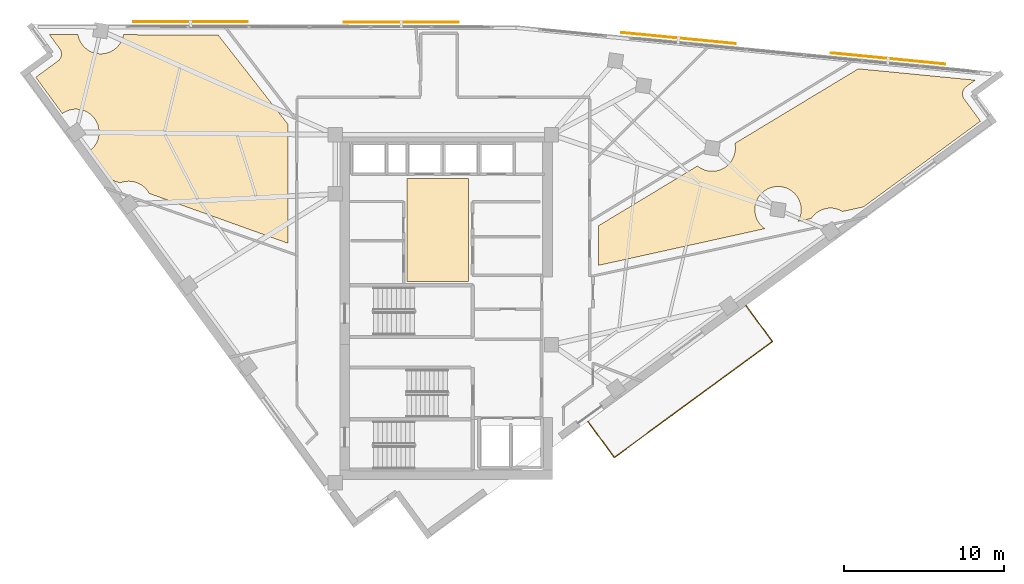
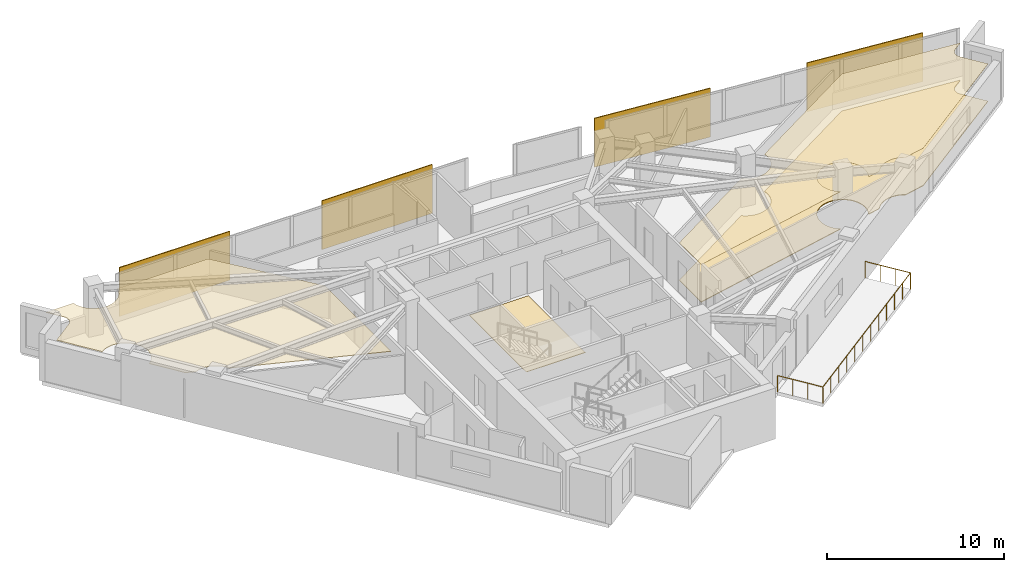
# One storey, part 13 of 13: 4 coverings, 4 shading devices, 1 railing.
"""IFC4 building model written with IfcOpenShell, lengths in metres."""

from ifc_helpers import new_model, si_unit, direction, frame, origin, origin_2d, place, context, subcontext, project, spatial, polyline, rectangle, circle, outline, extrude, material, layer, layer_set, type_object, element, save


model = new_model("IFC4")

# Units and contexts
model_context = context("Model", 3, precision=1e-05, world=origin(), true_north=direction((0.0, 1.0)))
body_context = subcontext(model_context, "Body", "Model", "MODEL_VIEW")
ifc_project = project(units=[si_unit("LENGTHUNIT", "METRE"), si_unit("AREAUNIT", "SQUARE_METRE"), si_unit("VOLUMEUNIT", "CUBIC_METRE"), si_unit("PLANEANGLEUNIT", "RADIAN"), si_unit("MASSUNIT", "GRAM", prefix="KILO")], contexts=[model_context])

# Site, building, storey
site_placement = place(None, origin())
site = spatial("IfcSite", under=ifc_project, at=site_placement, CompositionType="ELEMENT")
building_placement = place(site_placement, origin())
building = spatial("IfcBuilding", under=site, at=building_placement, Name="Narakoshi Arena Tower", CompositionType="ELEMENT")
storey_placement = place(building_placement, frame((0.0, 0.0, 232.580078125)))
storey = spatial("IfcBuildingStorey", under=building, at=storey_placement, Name="L63", CompositionType="ELEMENT", Elevation=232.580078125)

# Coverings
ifc_material_1 = material(Name="Acoustic mineral-fibre ceiling tile")
ifc_layer_1 = layer(ifc_material_1, 0.02001953125)
ifc_layer_set_1 = layer_set([ifc_layer_1], Name="Acoustic mineral-fibre ceiling tile")
covering_type_1 = type_object("IfcCoveringType", Name="COV-CLG-AC20", PredefinedType="CEILING", material=ifc_layer_set_1)
covering_1_placement = place(storey_placement, frame((0.0, 0.0, 2.58984375)))
element("IfcCovering", 1, at=covering_1_placement, inside=storey, type_object=covering_type_1, Name="L63 Suspended Acoustic Ceiling 1", PredefinedType="CEILING", context=body_context, shape_type="SweptSolid", body=[
    extrude(outline(polyline([(111.486328125, 59.474365234375), (111.447998046875, 59.436279296875), (111.41357421875, 59.394775390625), (111.38330078125, 59.35009765625), (111.357666015625, 59.302734375), (111.336669921875, 59.2529296875), (111.32080078125, 59.201416015625), (111.309814453125, 59.1484375), (111.30419921875, 59.0947265625), (111.303955078125, 59.040771484375), (111.30908203125, 58.987060546875), (111.3193359375, 58.93408203125), (111.334716796875, 58.88232421875), (111.35498046875, 58.83251953125), (111.380126953125, 58.78466796875), (111.409912109375, 58.739501953125), (112.426025390625, 57.353515625), (105.10009765625, 51.982177734375), (103.7841796875, 51.69140625), (103.716064453125, 51.732421875), (103.58740234375, 51.793212890625), (103.453369140625, 51.84130859375), (103.3154296875, 51.875732421875), (103.174560546875, 51.896484375), (103.032470703125, 51.903564453125), (102.890380859375, 51.896484375), (102.74951171875, 51.875732421875), (102.611572265625, 51.84130859375), (102.4775390625, 51.793212890625), (102.34912109375, 51.732421875), (102.226806640625, 51.6591796875), (102.112548828125, 51.574462890625), (102.007080078125, 51.47900390625), (101.91162109375, 51.37353515625), (101.8271484375, 51.259521484375), (100.992431640625, 51.0751953125), (101.021484375, 51.12353515625), (101.082275390625, 51.252197265625), (101.130126953125, 51.38623046875), (101.164794921875, 51.524169921875), (101.185546875, 51.6650390625), (101.192626953125, 51.80712890625), (101.185546875, 51.94921875), (101.164794921875, 52.090087890625), (101.130126953125, 52.22802734375), (101.082275390625, 52.362060546875), (101.021484375, 52.490478515625), (100.9482421875, 52.61279296875), (100.863525390625, 52.72705078125), (100.767822265625, 52.83251953125), (100.66259765625, 52.927978515625), (100.548095703125, 53.0126953125), (100.426025390625, 53.0859375), (100.297607421875, 53.146728515625), (100.16357421875, 53.194580078125), (100.025390625, 53.229248046875), (99.884765625, 53.25), (99.74267578125, 53.257080078125), (99.6005859375, 53.25), (99.459716796875, 53.229248046875), (99.32177734375, 53.194580078125), (99.187744140625, 53.146728515625), (99.05908203125, 53.0859375), (98.93701171875, 53.0126953125), (98.82275390625, 52.927978515625), (98.71728515625, 52.83251953125), (98.62158203125, 52.72705078125), (98.537109375, 52.61279296875), (98.4638671875, 52.490478515625), (98.403076171875, 52.362060546875), (98.35498046875, 52.22802734375), (98.320556640625, 52.090087890625), (98.299560546875, 51.94921875), (98.29248046875, 51.80712890625), (98.299560546875, 51.6650390625), (98.320556640625, 51.524169921875), (98.35498046875, 51.38623046875), (98.403076171875, 51.252197265625), (98.4638671875, 51.12353515625), (98.537109375, 51.00146484375), (98.62158203125, 50.88720703125), (98.71728515625, 50.78173828125), (98.82275390625, 50.686279296875), (98.91650390625, 50.61669921875), (88.5, 48.317138671875), (88.5, 50.802978515625), (94.697265625, 54.54638671875), (94.69970703125, 54.544189453125), (94.81396484375, 54.459716796875), (94.93603515625, 54.386474609375), (95.064697265625, 54.32568359375), (95.198486328125, 54.277587890625), (95.336669921875, 54.2431640625), (95.477294921875, 54.22216796875), (95.619384765625, 54.215087890625), (95.76171875, 54.22216796875), (95.90234375, 54.2431640625), (96.040283203125, 54.277587890625), (96.17431640625, 54.32568359375), (96.302978515625, 54.386474609375), (96.425048828125, 54.459716796875), (96.539306640625, 54.544189453125), (96.644775390625, 54.639892578125), (96.740478515625, 54.745361328125), (96.8251953125, 54.859619140625), (96.898193359375, 54.981689453125), (96.958984375, 55.1103515625), (97.007080078125, 55.244384765625), (97.04150390625, 55.38232421875), (97.0625, 55.523193359375), (97.069580078125, 55.665283203125), (97.0625, 55.807373046875), (97.04150390625, 55.947998046875), (97.03857421875, 55.960693359375), (104.774658203125, 60.6337890625), (112.09228515625, 59.921875), (111.5283203125, 59.50830078125), (111.486328125, 59.474365234375)])), origin(), (0.0, 0.0, 1.0), 0.02001953125),
])
ifc_material_2 = material(Name="Slatted oak acoustic timber baffle", Category="wood")
ifc_layer_2 = layer(ifc_material_2, 0.034912109375)
ifc_layer_set_2 = layer_set([ifc_layer_2], Name="Slatted oak acoustic timber baffle")
covering_type_2 = type_object("IfcCoveringType", Name="COV-CLG-WD35", PredefinedType="CEILING", material=ifc_layer_set_2)
covering_2_placement = place(storey_placement, frame((0.0, 0.0, 2.574951171875)))
element("IfcCovering", 2, at=covering_2_placement, inside=storey, type_object=covering_type_2, Name="L63 Suspended Acoustic Ceiling 2", PredefinedType="CEILING", context=body_context, shape_type="SweptSolid", body=[
    extrude(outline(polyline([(55.8818359375, 62.773193359375), (55.88720703125, 62.73779296875), (55.921630859375, 62.599609375), (55.969482421875, 62.4658203125), (56.030517578125, 62.337158203125), (56.103515625, 62.215087890625), (56.188232421875, 62.1005859375), (56.283935546875, 61.995361328125), (56.389404296875, 61.899658203125), (56.503662109375, 61.81494140625), (56.625732421875, 61.74169921875), (56.75439453125, 61.680908203125), (56.88818359375, 61.633056640625), (57.0263671875, 61.598388671875), (57.1669921875, 61.57763671875), (57.30908203125, 61.570556640625), (57.451416015625, 61.57763671875), (57.592041015625, 61.598388671875), (57.72998046875, 61.633056640625), (57.864013671875, 61.680908203125), (57.99267578125, 61.74169921875), (58.11474609375, 61.81494140625), (58.22900390625, 61.899658203125), (58.33447265625, 61.995361328125), (58.43017578125, 62.1005859375), (58.514892578125, 62.215087890625), (58.587890625, 62.337158203125), (58.648681640625, 62.4658203125), (58.69677734375, 62.599609375), (58.731201171875, 62.73779296875), (58.73583984375, 62.76806640625), (64.657470703125, 62.757080078125), (69.050048828125, 57.14501953125), (69.050048828125, 49.69775390625), (60.341552734375, 52.824462890625), (60.268798828125, 52.94580078125), (60.18408203125, 53.060302734375), (60.08837890625, 53.16552734375), (59.983154296875, 53.26123046875), (59.868896484375, 53.345947265625), (59.74658203125, 53.419189453125), (59.6181640625, 53.47998046875), (59.484130859375, 53.52783203125), (59.34619140625, 53.5625), (59.205322265625, 53.583251953125), (59.063232421875, 53.59033203125), (58.921142578125, 53.583251953125), (58.7802734375, 53.5625), (58.642333984375, 53.52783203125), (58.51220703125, 53.481201171875), (57.9423828125, 53.685791015625), (56.61767578125, 55.492431640625), (56.673095703125, 55.533447265625), (56.778564453125, 55.629150390625), (56.874267578125, 55.734619140625), (56.958984375, 55.848876953125), (57.031982421875, 55.970947265625), (57.093017578125, 56.099609375), (57.140869140625, 56.2333984375), (57.17529296875, 56.37158203125), (57.1962890625, 56.51220703125), (57.203369140625, 56.654296875), (57.1962890625, 56.79638671875), (57.17529296875, 56.937255859375), (57.140869140625, 57.0751953125), (57.093017578125, 57.209228515625), (57.031982421875, 57.337890625), (56.958984375, 57.4599609375), (56.874267578125, 57.57421875), (56.778564453125, 57.6796875), (56.673095703125, 57.775390625), (56.558837890625, 57.860107421875), (56.436767578125, 57.93310546875), (56.30810546875, 57.993896484375), (56.17431640625, 58.0419921875), (56.0361328125, 58.076416015625), (55.8955078125, 58.097412109375), (55.75341796875, 58.1044921875), (55.611083984375, 58.097412109375), (55.470458984375, 58.076416015625), (55.33251953125, 58.0419921875), (55.198486328125, 57.993896484375), (55.06982421875, 57.93310546875), (54.94775390625, 57.860107421875), (54.905029296875, 57.828369140625), (53.23779296875, 60.102294921875), (54.62353515625, 61.118408203125), (54.66552734375, 61.152587890625), (54.703857421875, 61.1904296875), (54.73828125, 61.23193359375), (54.7685546875, 61.276611328125), (54.794189453125, 61.32421875), (54.815185546875, 61.373779296875), (54.831298828125, 61.425537109375), (54.842041015625, 61.478271484375), (54.84765625, 61.531982421875), (54.847900390625, 61.5859375), (54.843017578125, 61.6396484375), (54.83251953125, 61.692626953125), (54.8173828125, 61.744384765625), (54.796875, 61.79443359375), (54.771728515625, 61.84228515625), (54.741943359375, 61.88720703125), (54.08984375, 62.7763671875), (55.8818359375, 62.773193359375)])), origin(), (0.0, 0.0, 1.0), 0.034912109375),
])
ifc_material_3 = material(Name="Raised steel access floor panel", Category="steel")
ifc_layer_3 = layer(ifc_material_3, 0.044921875)
ifc_layer_set_3 = layer_set([ifc_layer_3], Name="Raised steel access floor panel")
covering_type_3 = type_object("IfcCoveringType", Name="COV-FLR-RF45", PredefinedType="FLOORING", material=ifc_layer_set_3)
covering_3_placement = place(storey_placement, origin())
element("IfcCovering", 3, at=covering_3_placement, inside=storey, type_object=covering_type_3, Name="L63 Raised Steel Access Floor", PredefinedType="FLOORING", context=body_context, shape_type="SweptSolid", body=[
    extrude(outline(polyline([(111.486328125, 59.474365234375), (111.447998046875, 59.436279296875), (111.41357421875, 59.394775390625), (111.38330078125, 59.35009765625), (111.357666015625, 59.302734375), (111.336669921875, 59.2529296875), (111.32080078125, 59.201416015625), (111.309814453125, 59.1484375), (111.30419921875, 59.0947265625), (111.303955078125, 59.040771484375), (111.30908203125, 58.987060546875), (111.3193359375, 58.93408203125), (111.334716796875, 58.88232421875), (111.35498046875, 58.83251953125), (111.380126953125, 58.78466796875), (111.409912109375, 58.739501953125), (112.426025390625, 57.353515625), (105.10009765625, 51.982177734375), (103.7841796875, 51.69140625), (103.716064453125, 51.732421875), (103.58740234375, 51.793212890625), (103.453369140625, 51.84130859375), (103.3154296875, 51.875732421875), (103.174560546875, 51.896484375), (103.032470703125, 51.903564453125), (102.890380859375, 51.896484375), (102.74951171875, 51.875732421875), (102.611572265625, 51.84130859375), (102.4775390625, 51.793212890625), (102.34912109375, 51.732421875), (102.226806640625, 51.6591796875), (102.112548828125, 51.574462890625), (102.007080078125, 51.47900390625), (101.91162109375, 51.37353515625), (101.8271484375, 51.259521484375), (100.992431640625, 51.0751953125), (101.021484375, 51.12353515625), (101.082275390625, 51.252197265625), (101.130126953125, 51.38623046875), (101.164794921875, 51.524169921875), (101.185546875, 51.6650390625), (101.192626953125, 51.80712890625), (101.185546875, 51.94921875), (101.164794921875, 52.090087890625), (101.130126953125, 52.22802734375), (101.082275390625, 52.362060546875), (101.021484375, 52.490478515625), (100.9482421875, 52.61279296875), (100.863525390625, 52.72705078125), (100.767822265625, 52.83251953125), (100.66259765625, 52.927978515625), (100.548095703125, 53.0126953125), (100.426025390625, 53.0859375), (100.297607421875, 53.146728515625), (100.16357421875, 53.194580078125), (100.025390625, 53.229248046875), (99.884765625, 53.25), (99.74267578125, 53.257080078125), (99.6005859375, 53.25), (99.459716796875, 53.229248046875), (99.32177734375, 53.194580078125), (99.187744140625, 53.146728515625), (99.05908203125, 53.0859375), (98.93701171875, 53.0126953125), (98.82275390625, 52.927978515625), (98.71728515625, 52.83251953125), (98.62158203125, 52.72705078125), (98.537109375, 52.61279296875), (98.4638671875, 52.490478515625), (98.403076171875, 52.362060546875), (98.35498046875, 52.22802734375), (98.320556640625, 52.090087890625), (98.299560546875, 51.94921875), (98.29248046875, 51.80712890625), (98.299560546875, 51.6650390625), (98.320556640625, 51.524169921875), (98.35498046875, 51.38623046875), (98.403076171875, 51.252197265625), (98.4638671875, 51.12353515625), (98.537109375, 51.00146484375), (98.62158203125, 50.88720703125), (98.71728515625, 50.78173828125), (98.82275390625, 50.686279296875), (98.91650390625, 50.61669921875), (88.5, 48.317138671875), (88.5, 50.802978515625), (94.697265625, 54.54638671875), (94.69970703125, 54.544189453125), (94.81396484375, 54.459716796875), (94.93603515625, 54.386474609375), (95.064697265625, 54.32568359375), (95.198486328125, 54.277587890625), (95.336669921875, 54.2431640625), (95.477294921875, 54.22216796875), (95.619384765625, 54.215087890625), (95.76171875, 54.22216796875), (95.90234375, 54.2431640625), (96.040283203125, 54.277587890625), (96.17431640625, 54.32568359375), (96.302978515625, 54.386474609375), (96.425048828125, 54.459716796875), (96.539306640625, 54.544189453125), (96.644775390625, 54.639892578125), (96.740478515625, 54.745361328125), (96.8251953125, 54.859619140625), (96.898193359375, 54.981689453125), (96.958984375, 55.1103515625), (97.007080078125, 55.244384765625), (97.04150390625, 55.38232421875), (97.0625, 55.523193359375), (97.069580078125, 55.665283203125), (97.0625, 55.807373046875), (97.04150390625, 55.947998046875), (97.03857421875, 55.960693359375), (104.774658203125, 60.6337890625), (112.09228515625, 59.921875), (111.5283203125, 59.50830078125), (111.486328125, 59.474365234375)])), origin(), (0.0, 0.0, 1.0), 0.044921875),
])
ifc_material_4 = material(Name="Honed granite stone paving", Category="masonry")
ifc_layer_4 = layer(ifc_material_4, 0.030029296875)
ifc_layer_set_4 = layer_set([ifc_layer_4], Name="Honed granite stone paving")
covering_type_4 = type_object("IfcCoveringType", Name="COV-FLR-ST30", PredefinedType="FLOORING", material=ifc_layer_set_4)
covering_4_placement = place(storey_placement, origin())
element("IfcCovering", 4, at=covering_4_placement, inside=storey, type_object=covering_type_4, Name="L63 Lift Lobby Granite Flooring", PredefinedType="FLOORING", context=body_context, shape_type="SweptSolid", body=[
    extrude(outline(polyline([(76.5, 47.300048828125), (80.35009765625, 47.300048828125), (80.35009765625, 53.75), (76.5, 53.75), (76.5, 47.300048828125)])), origin(), (0.0, 0.0, 1.0), 0.030029296875),
])

# Railing
ifc_material_5 = material(Name="Brushed bronze stainless steel", Category="steel")
railing_type = type_object("IfcRailingType", Name="RL-GRD-1150", PredefinedType="GUARDRAIL", material=ifc_material_5)
railing_placement = place(storey_placement, frame((87.830078125, 38.537841796875, 0.0)))
element("IfcRailing", 5, at=railing_placement, inside=storey, type_object=railing_type, Name="L63 Setback Sky Terrace Guardrail", PredefinedType="GUARDRAIL", context=body_context, shape_type="SweptSolid", body=[
    extrude(circle(Radius=0.02392578125, at=origin_2d()), frame((0.0, 0.0, 1.1259765625), z_axis=(0.591272936205, -0.806471521451, 0.0), x_axis=(0.806471521451, 0.591272936205, 0.0)), (0.0, 0.0, 1.0), 2.7998046875),
    extrude(circle(Radius=0.02392578125, at=origin_2d()), frame((1.655517578125, -2.258056640625, 1.1259765625), z_axis=(0.806453639815, 0.591297325235, 0.0), x_axis=(-0.591297325235, 0.806453639815, 0.0)), (0.0, 0.0, 1.0), 12.28564453125),
    extrude(circle(Radius=0.02392578125, at=origin_2d()), frame((11.563232421875, 5.00634765625, 1.1259765625), z_axis=(-0.591231359606, 0.806502002117, 0.0), x_axis=(-0.806502002117, -0.591231359606, 0.0)), (0.0, 0.0, 1.0), 2.800048828125),
    extrude(circle(Radius=0.02099609375, at=origin_2d()), origin(), (0.0, 0.0, 1.0), 1.101806640625),
    extrude(circle(Radius=0.02099609375, at=origin_2d()), frame((0.5517578125, -0.752685546875, 0.0)), (0.0, 0.0, 1.0), 1.101806640625),
    extrude(circle(Radius=0.02099609375, at=origin_2d()), frame((1.103759765625, -1.50537109375, 0.0)), (0.0, 0.0, 1.0), 1.101806640625),
    extrude(circle(Radius=0.02099609375, at=origin_2d()), frame((1.655517578125, -2.258056640625, 0.0)), (0.0, 0.0, 1.0), 1.101806640625),
    extrude(circle(Radius=0.02099609375, at=origin_2d()), frame((2.55615234375, -1.59765625, 0.0)), (0.0, 0.0, 1.0), 1.101806640625),
    extrude(circle(Radius=0.02099609375, at=origin_2d()), frame((3.45703125, -0.937255859375, 0.0)), (0.0, 0.0, 1.0), 1.101806640625),
    extrude(circle(Radius=0.02099609375, at=origin_2d()), frame((4.357666015625, -0.27685546875, 0.0)), (0.0, 0.0, 1.0), 1.101806640625),
    extrude(circle(Radius=0.02099609375, at=origin_2d()), frame((5.25830078125, 0.383544921875, 0.0)), (0.0, 0.0, 1.0), 1.101806640625),
    extrude(circle(Radius=0.02099609375, at=origin_2d()), frame((6.158935546875, 1.0439453125, 0.0)), (0.0, 0.0, 1.0), 1.101806640625),
    extrude(circle(Radius=0.02099609375, at=origin_2d()), frame((7.059814453125, 1.704345703125, 0.0)), (0.0, 0.0, 1.0), 1.101806640625),
    extrude(circle(Radius=0.02099609375, at=origin_2d()), frame((7.96044921875, 2.36474609375, 0.0)), (0.0, 0.0, 1.0), 1.101806640625),
    extrude(circle(Radius=0.02099609375, at=origin_2d()), frame((8.861083984375, 3.025146484375, 0.0)), (0.0, 0.0, 1.0), 1.101806640625),
    extrude(circle(Radius=0.02099609375, at=origin_2d()), frame((9.76171875, 3.685546875, 0.0)), (0.0, 0.0, 1.0), 1.101806640625),
    extrude(circle(Radius=0.02099609375, at=origin_2d()), frame((10.66259765625, 4.345947265625, 0.0)), (0.0, 0.0, 1.0), 1.101806640625),
    extrude(circle(Radius=0.02099609375, at=origin_2d()), frame((11.563232421875, 5.00634765625, 0.0)), (0.0, 0.0, 1.0), 1.101806640625),
    extrude(circle(Radius=0.02099609375, at=origin_2d()), frame((11.011474609375, 5.759033203125, 0.0)), (0.0, 0.0, 1.0), 1.101806640625),
    extrude(circle(Radius=0.02099609375, at=origin_2d()), frame((10.45947265625, 6.511962890625, 0.0)), (0.0, 0.0, 1.0), 1.101806640625),
    extrude(circle(Radius=0.02099609375, at=origin_2d()), frame((9.90771484375, 7.2646484375, 0.0)), (0.0, 0.0, 1.0), 1.101806640625),
])

# Shading devices
ifc_material_6 = material(Name="Perforated bronze ceramic-metal composite")
ifc_layer_5 = layer(ifc_material_6, 0.06005859375)
ifc_layer_set_5 = layer_set([ifc_layer_5], Name="Perforated bronze ceramic-metal composite")
shading_device_type = type_object("IfcShadingDeviceType", Name="SHD-SCR-BRZ2", PredefinedType="USERDEFINED", material=ifc_layer_set_5)
for number, where, z_axis, x_axis, name in (
    (6, (106.64697265625, 61.275390625, -0.000244140625), (0.0, 0.0, 1.0), (-0.995298664587, 0.096853333819, 0.0), "L63 Perforated Bronze Solar Screen 1-1"),
    (7, (93.509033203125, 62.553955078125, -0.000244140625), (0.0, 0.0, 1.0), (-0.995298664587, 0.096853333819, 0.0), "L63 Perforated Bronze Solar Screen 1-2"),
    (8, (76.1328125, 63.556396484375, -0.000244140625), (0.0, 0.0, 1.0), (-0.999998352629, 0.001815141425, 0.0), "L63 Perforated Bronze Solar Screen 2-1"),
    (9, (62.932861328125, 63.580322265625, -0.000244140625), (0.0, 0.0, 1.0), (-0.999998352629, 0.001815141425, 0.0), "L63 Perforated Bronze Solar Screen 2-2"),
):
    element("IfcShadingDevice", number, at=place(storey_placement, frame(where, z_axis=z_axis, x_axis=x_axis)), inside=storey, type_object=shading_device_type, Name=name, ObjectType="SOLAR SCREEN", PredefinedType="USERDEFINED", context=body_context, shape_type="SweptSolid", body=[
        extrude(rectangle(XDim=7.199951171875, YDim=0.06005859375, at=origin_2d()), origin(), (0.0, 0.0, 1.0), 3.3701171875),
    ])

save(model, "model.ifc")
